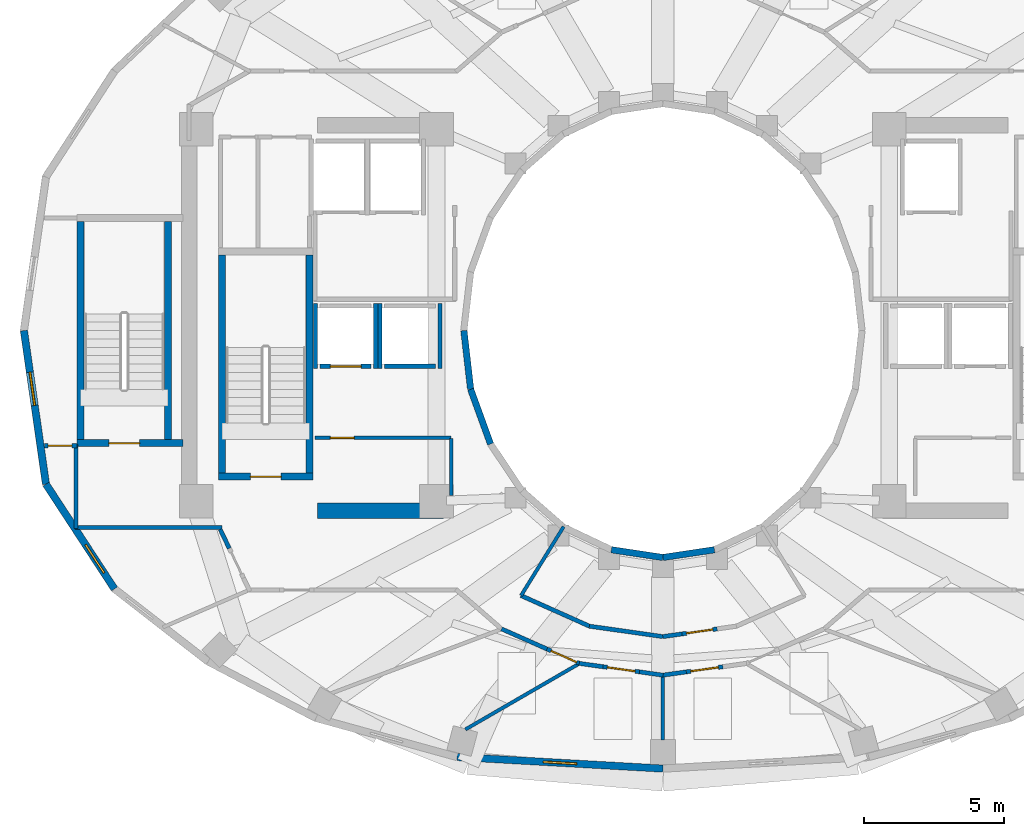
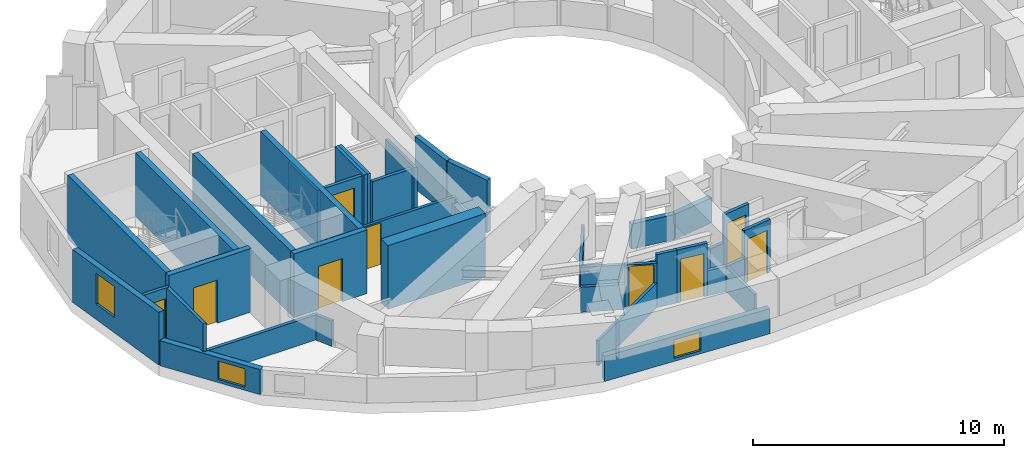
# One storey, part 3 of 9: 40 walls, 9 doors, 3 windows, 12 openings.
"""IFC4 building model written with IfcOpenShell, lengths in metres."""

from ifc_helpers import new_model, si_unit, direction, frame, frame_2d, origin, place, context, subcontext, project, spatial, rectangle, extrude, material, layer, layer_set, type_object, element, fill, save


model = new_model("IFC4")

# Units and contexts
model_context = context("Model", 3, precision=1e-05, world=origin(), true_north=direction((0.0, 1.0)))
body_context = subcontext(model_context, "Body", "Model", "MODEL_VIEW")
ifc_project = project(units=[si_unit("LENGTHUNIT", "METRE"), si_unit("AREAUNIT", "SQUARE_METRE"), si_unit("VOLUMEUNIT", "CUBIC_METRE"), si_unit("PLANEANGLEUNIT", "RADIAN"), si_unit("MASSUNIT", "GRAM", prefix="KILO")], contexts=[model_context])

# Site, building, storey
site_placement = place(None, origin())
site = spatial("IfcSite", under=ifc_project, at=site_placement, CompositionType="ELEMENT")
building_placement = place(site_placement, origin())
building = spatial("IfcBuilding", under=site, at=building_placement, Name="Solvane Sanctuary Tower", CompositionType="ELEMENT")
storey_placement = place(building_placement, frame((0.0, 0.0, 190.10009765625)))
storey = spatial("IfcBuildingStorey", under=building, at=storey_placement, Name="L58", CompositionType="ELEMENT", Elevation=190.10009765625)

# Wall
ifc_material_1 = material(Name="Concrete C50/60", Category="concrete")
ifc_layer_1 = layer(ifc_material_1, 0.550048828125, Name="Concrete C50/60")
ifc_layer_set_1 = layer_set([ifc_layer_1], Name="Concrete C50/60")
wall_type_1 = type_object("IfcWallType", Name="Wall W-CORE-550", PredefinedType="SHEAR", material=ifc_layer_set_1)
wall_1_placement = place(storey_placement, frame((19.64990234375, 16.550048828125, 0.0), z_axis=(0.0, 0.0, 1.0), x_axis=(1.0, 0.0, 0.0)))
element("IfcWall", 1, at=wall_1_placement, inside=storey, type_object=wall_type_1, Name="L58 Core Shear Wall WC-S", PredefinedType="SHEAR", context=body_context, shape_type="SweptSolid", body=[
    extrude(rectangle(XDim=4.5, YDim=0.550048828125, at=frame_2d((2.25, 0.0))), origin(), (0.0, 0.0, 1.0), 3.099853515625),
])

# Wall, opening, door
ifc_material_2 = material(Name="Acoustic Gypsum Partition Board")
ifc_layer_2 = layer(ifc_material_2, 0.14990234375, Name="Acoustic Gypsum Partition Board")
ifc_layer_set_2 = layer_set([ifc_layer_2], Name="Acoustic Gypsum Partition Board")
wall_type_2 = type_object("IfcWallType", Name="Wall W-CORR-150", PredefinedType="PARTITIONING", material=ifc_layer_set_2)
wall_2_placement = place(storey_placement, frame((9.869873046875, 18.8798828125, 0.0), z_axis=(0.0, 0.0, 1.0), x_axis=(1.0, 0.0, 0.0)))
wall_2 = element("IfcWall", 2, at=wall_2_placement, inside=storey, type_object=wall_type_2, Name="L58 SW Corner Closer 1", PredefinedType="PARTITIONING", context=body_context, shape_type="SweptSolid", body=[
    extrude(rectangle(XDim=1.170166015625, YDim=0.14990234375, at=frame_2d((0.5849609375, 0.0))), origin(), (0.0, 0.0, 1.0), 2.574951171875),
])
opening_1_placement = place(wall_2_placement, frame((0.139892578125, 0.0, 0.0)))
opening_1 = element("IfcOpeningElement", 3, at=opening_1_placement, cuts=wall_2, Name="Opening D-L58-18", PredefinedType="OPENING", context=body_context, shape_type="SweptSolid", body=[
    extrude(rectangle(XDim=0.85009765625, YDim=2.050048828125, at=frame_2d((0.425048828125, 1.02490234375))), frame((0.0, 0.0849609375, 0.0), z_axis=(0.0, -1.0, 0.0), x_axis=(1.0, 0.0, 0.0)), (0.0, 0.0, 1.0), 0.169921875),
])
ifc_material_3 = material(Name="Architectural Stainless Steel 316", Category="steel")
door_type_1 = type_object("IfcDoorType", Name="Door D-RISER", OperationType="NOTDEFINED", PredefinedType="DOOR", material=ifc_material_3)
door_1_placement = place(opening_1_placement, origin())
door_1 = element("IfcDoor", 4, at=door_1_placement, inside=storey, type_object=door_type_1, Name="L58 West Lookout Study Door", OperationType="SINGLE_SWING_LEFT", OverallHeight=2.050048828125, OverallWidth=0.85009765625, PredefinedType="DOOR", context=body_context, shape_type="SweptSolid", body=[
    extrude(rectangle(XDim=0.85009765625, YDim=2.050048828125, at=frame_2d((0.425048828125, 1.02490234375))), frame((0.0, 0.02490234375, 0.0), z_axis=(0.0, -1.0, 0.0), x_axis=(1.0, 0.0, 0.0)), (0.0, 0.0, 1.0), 0.050048828125),
])
fill(opening_1, door_1)

# Walls
wall_3_placement = place(storey_placement, frame((11.0, 15.909912109375, 0.0), z_axis=(0.0, 0.0, 1.0), x_axis=(0.0, 1.0, 0.0)))
element("IfcWall", 5, at=wall_3_placement, inside=storey, type_object=wall_type_2, Name="L58 SW Corner Closer 2", PredefinedType="PARTITIONING", context=body_context, shape_type="SweptSolid", body=[
    extrude(rectangle(XDim=3.010009765625, YDim=0.14990234375, at=frame_2d((1.5048828125, 0.0))), origin(), (0.0, 0.0, 1.0), 2.574951171875),
])
wall_4_placement = place(storey_placement, frame((10.9599609375, 15.949951171875, 0.0), z_axis=(0.0, 0.0, 1.0), x_axis=(1.0, 0.0, 0.0)))
element("IfcWall", 6, at=wall_4_placement, inside=storey, type_object=wall_type_2, Name="L58 SW Corner Closer 3", PredefinedType="PARTITIONING", context=body_context, shape_type="SweptSolid", body=[
    extrude(rectangle(XDim=5.260009765625, YDim=0.14990234375, at=frame_2d((2.6298828125, 0.0))), origin(), (0.0, 0.0, 1.0), 1.219970703125),
])
wall_5_placement = place(storey_placement, frame((16.488525390625, 15.205810546875, 0.0), z_axis=(0.0, 0.0, 1.0), x_axis=(-0.432131149195, 0.901810772776, 0.0)))
element("IfcWall", 7, at=wall_5_placement, inside=storey, type_object=wall_type_2, Name="L58 SW Corner Wing Wall", PredefinedType="PARTITIONING", context=body_context, shape_type="SweptSolid", body=[
    extrude(rectangle(XDim=0.754150390625, YDim=0.14990234375, at=frame_2d((0.376953125, 0.0))), origin(), (0.0, 0.0, 1.0), 1.219970703125),
])
wall_6_placement = place(storey_placement, frame((26.9189453125, 13.520751953125, 0.0), z_axis=(0.0, 0.0, 1.0), x_axis=(0.912888568324, -0.408208845842, 0.0)))
element("IfcWall", 8, at=wall_6_placement, inside=storey, type_object=wall_type_2, Name="L58 Inner Light-Well Corridor Wall S1", PredefinedType="PARTITIONING", context=body_context, shape_type="SweptSolid", body=[
    extrude(rectangle(XDim=2.690185546875, YDim=0.14990234375, at=frame_2d((1.34521484375, 0.0))), origin(), (0.0, 0.0, 1.0), 1.219970703125),
])
wall_7_placement = place(storey_placement, frame((29.371337890625, 12.423583984375, 0.0), z_axis=(0.0, 0.0, 1.0), x_axis=(0.990066775667, -0.1405979364, 0.0)))
element("IfcWall", 9, at=wall_7_placement, inside=storey, type_object=wall_type_2, Name="L58 Inner Light-Well Corridor Wall S1", PredefinedType="PARTITIONING", context=body_context, shape_type="SweptSolid", body=[
    extrude(rectangle(XDim=2.65673828125, YDim=0.14990234375, at=frame_2d((1.328369140625, 0.0))), origin(), (0.0, 0.0, 1.0), 1.219970703125),
])
wall_8_placement = place(storey_placement, frame((31.998291015625, 12.050048828125, 0.0), z_axis=(0.0, 0.0, 1.0), x_axis=(0.990082845611, 0.140484728093, 0.0)))
element("IfcWall", 10, at=wall_8_placement, inside=storey, type_object=wall_type_2, Name="L58 Inner Light-Well Corridor Wall S1", PredefinedType="PARTITIONING", context=body_context, shape_type="SweptSolid", body=[
    extrude(rectangle(XDim=0.693359375, YDim=0.14990234375, at=frame_2d((0.3466796875, 0.0))), origin(), (0.0, 0.0, 1.0), 1.219970703125),
])

# Wall, opening, door
wall_9_placement = place(storey_placement, frame((32.684814453125, 12.1474609375, 0.0), z_axis=(0.0, 0.0, 1.0), x_axis=(0.990049212475, 0.140721557967, 0.0)))
wall_9 = element("IfcWall", 11, at=wall_9_placement, inside=storey, type_object=wall_type_2, Name="L58 Inner Light-Well Corridor Wall S1", PredefinedType="PARTITIONING", context=body_context, shape_type="SweptSolid", body=[
    extrude(rectangle(XDim=1.27001953125, YDim=0.14990234375, at=frame_2d((0.635009765625, 0.0))), origin(), (0.0, 0.0, 1.0), 2.574951171875),
])
opening_2_placement = place(wall_9_placement, frame((0.159912109375, 0.0, 0.0)))
opening_2 = element("IfcOpeningElement", 12, at=opening_2_placement, cuts=wall_9, Name="Opening D-L58-22", PredefinedType="OPENING", context=body_context, shape_type="SweptSolid", body=[
    extrude(rectangle(XDim=0.949951171875, YDim=2.10009765625, at=frame_2d((0.47509765625, 1.050048828125))), frame((0.0, 0.0849609375, 0.0), z_axis=(0.0, -1.0, 0.0), x_axis=(1.0, 0.0, 0.0)), (0.0, 0.0, 1.0), 0.169921875),
])
ifc_material_4 = material(Name="Engineered Tropical Hardwood", Category="wood")
door_type_2 = type_object("IfcDoorType", Name="Door D-ROOM-950", OperationType="NOTDEFINED", PredefinedType="DOOR", material=ifc_material_4)
door_2_placement = place(opening_2_placement, origin())
door_2 = element("IfcDoor", 13, at=door_2_placement, inside=storey, type_object=door_type_2, Name="L58 Inner Light-Well Salon Door S1", OperationType="SINGLE_SWING_LEFT", OverallHeight=2.10009765625, OverallWidth=0.949951171875, PredefinedType="DOOR", context=body_context, shape_type="SweptSolid", body=[
    extrude(rectangle(XDim=0.949951171875, YDim=2.10009765625, at=frame_2d((0.47509765625, 1.050048828125))), frame((0.0, 0.02490234375, 0.0), z_axis=(0.0, -1.0, 0.0), x_axis=(1.0, 0.0, 0.0)), (0.0, 0.0, 1.0), 0.050048828125),
])
fill(opening_2, door_2)

# Wall
wall_10_placement = place(storey_placement, frame((26.22802734375, 12.326171875, 0.0), z_axis=(0.0, 0.0, 1.0), x_axis=(0.914303617865, -0.405029498135, 0.0)))
element("IfcWall", 14, at=wall_10_placement, inside=storey, type_object=wall_type_2, Name="L58 Unit Corridor Wall S1", PredefinedType="PARTITIONING", context=body_context, shape_type="SweptSolid", body=[
    extrude(rectangle(XDim=1.777587890625, YDim=0.14990234375, at=frame_2d((0.888671875, 0.0))), origin(), (0.0, 0.0, 1.0), 1.219970703125),
])

# Wall, opening, door
wall_11_placement = place(storey_placement, frame((27.853271484375, 11.606201171875, 0.0), z_axis=(0.0, 0.0, 1.0), x_axis=(0.91435342481, -0.40491704649, 0.0)))
wall_11 = element("IfcWall", 15, at=wall_11_placement, inside=storey, type_object=wall_type_2, Name="L58 Unit Corridor Wall S1", PredefinedType="PARTITIONING", context=body_context, shape_type="SweptSolid", body=[
    extrude(rectangle(XDim=1.280029296875, YDim=0.14990234375, at=frame_2d((0.64013671875, 0.0))), origin(), (0.0, 0.0, 1.0), 2.159912109375),
])
opening_3_placement = place(wall_11_placement, frame((0.159912109375, 0.0, 0.0)))
opening_3 = element("IfcOpeningElement", 16, at=opening_3_placement, cuts=wall_11, Name="Opening D-L58-27", PredefinedType="OPENING", context=body_context, shape_type="SweptSolid", body=[
    extrude(rectangle(XDim=1.0, YDim=2.10009765625, at=frame_2d((0.5, 1.050048828125))), frame((0.0, 0.0849609375, 0.0), z_axis=(0.0, -1.0, 0.0), x_axis=(1.0, 0.0, 0.0)), (0.0, 0.0, 1.0), 0.169921875),
])
door_type_3 = type_object("IfcDoorType", Name="Door D-UNIT", OperationType="NOTDEFINED", PredefinedType="DOOR", material=ifc_material_4)
door_3_placement = place(opening_3_placement, origin())
door_3 = element("IfcDoor", 17, at=door_3_placement, inside=storey, type_object=door_type_3, Name="L58 Unit Entrance Door S1", OperationType="SINGLE_SWING_RIGHT", OverallHeight=2.10009765625, OverallWidth=1.0, PredefinedType="DOOR", context=body_context, shape_type="SweptSolid", body=[
    extrude(rectangle(XDim=1.0, YDim=2.10009765625, at=frame_2d((0.5, 1.050048828125))), frame((0.0, 0.02490234375, 0.0), z_axis=(0.0, -1.0, 0.0), x_axis=(1.0, 0.0, 0.0)), (0.0, 0.0, 1.0), 0.050048828125),
])
fill(opening_3, door_3)

# Wall
wall_12_placement = place(storey_placement, frame((29.008056640625, 11.09228515625, 0.0), z_axis=(0.0, 0.0, 1.0), x_axis=(0.990238723834, -0.139381741342, 0.0)))
element("IfcWall", 18, at=wall_12_placement, inside=storey, type_object=wall_type_2, Name="L58 Unit Corridor Wall S2", PredefinedType="PARTITIONING", context=body_context, shape_type="SweptSolid", body=[
    extrude(rectangle(XDim=0.854736328125, YDim=0.14990234375, at=frame_2d((0.42724609375, 0.0))), origin(), (0.0, 0.0, 1.0), 2.574951171875),
])

# Wall, opening, door
wall_13_placement = place(storey_placement, frame((29.8544921875, 10.97314453125, 0.0), z_axis=(0.0, 0.0, 1.0), x_axis=(0.990254187593, -0.139271834751, 0.0)))
wall_13 = element("IfcWall", 19, at=wall_13_placement, inside=storey, type_object=wall_type_2, Name="L58 Unit Corridor Wall S2", PredefinedType="PARTITIONING", context=body_context, shape_type="SweptSolid", body=[
    extrude(rectangle(XDim=1.320068359375, YDim=0.14990234375, at=frame_2d((0.66015625, 0.0))), origin(), (0.0, 0.0, 1.0), 2.574951171875),
])
opening_4_placement = place(wall_13_placement, frame((0.159912109375, 0.0, 0.0)))
opening_4 = element("IfcOpeningElement", 20, at=opening_4_placement, cuts=wall_13, Name="Opening D-L58-28", PredefinedType="OPENING", context=body_context, shape_type="SweptSolid", body=[
    extrude(rectangle(XDim=1.0, YDim=2.10009765625, at=frame_2d((0.5, 1.050048828125))), frame((0.0, 0.0849609375, 0.0), z_axis=(0.0, -1.0, 0.0), x_axis=(1.0, 0.0, 0.0)), (0.0, 0.0, 1.0), 0.169921875),
])
door_4_placement = place(opening_4_placement, origin())
door_4 = element("IfcDoor", 21, at=door_4_placement, inside=storey, type_object=door_type_3, Name="L58 Unit Entrance Door S2", OperationType="SINGLE_SWING_LEFT", OverallHeight=2.10009765625, OverallWidth=1.0, PredefinedType="DOOR", context=body_context, shape_type="SweptSolid", body=[
    extrude(rectangle(XDim=1.0, YDim=2.10009765625, at=frame_2d((0.5, 1.050048828125))), frame((0.0, 0.02490234375, 0.0), z_axis=(0.0, -1.0, 0.0), x_axis=(1.0, 0.0, 0.0)), (0.0, 0.0, 1.0), 0.050048828125),
])
fill(opening_4, door_4)

# Walls
for number, where, z_axis, x_axis, name in (
    (22, (31.16162109375, 10.789306640625, 0.0), (0.0, 0.0, 1.0), (0.990199264419, -0.139661794145, 0.0), "L58 Unit Corridor Wall S2"),
    (23, (31.991943359375, 10.669921875, 0.0), (0.0, 0.0, 1.0), (0.990199264419, 0.139661794145, 0.0), "L58 Unit Corridor Wall S3"),
):
    element("IfcWall", number, at=place(storey_placement, frame(where, z_axis=z_axis, x_axis=x_axis)), inside=storey, type_object=wall_type_2, Name=name, PredefinedType="PARTITIONING", context=body_context, shape_type="SweptSolid", body=[
        extrude(rectangle(XDim=0.854736328125, YDim=0.14990234375, at=frame_2d((0.42724609375, 0.0))), origin(), (0.0, 0.0, 1.0), 1.219970703125),
    ])

# Wall, opening, door
wall_14_placement = place(storey_placement, frame((32.83837890625, 10.789306640625, 0.0), z_axis=(0.0, 0.0, 1.0), x_axis=(0.990254187593, 0.139271834751, 0.0)))
wall_14 = element("IfcWall", 24, at=wall_14_placement, inside=storey, type_object=wall_type_2, Name="L58 Unit Corridor Wall S3", PredefinedType="PARTITIONING", context=body_context, shape_type="SweptSolid", body=[
    extrude(rectangle(XDim=1.320068359375, YDim=0.14990234375, at=frame_2d((0.66015625, 0.0))), origin(), (0.0, 0.0, 1.0), 2.574951171875),
])
opening_5_placement = place(wall_14_placement, frame((0.159912109375, 0.0, 0.0)))
opening_5 = element("IfcOpeningElement", 25, at=opening_5_placement, cuts=wall_14, Name="Opening D-L58-29", PredefinedType="OPENING", context=body_context, shape_type="SweptSolid", body=[
    extrude(rectangle(XDim=1.0, YDim=2.10009765625, at=frame_2d((0.5, 1.050048828125))), frame((0.0, 0.0849609375, 0.0), z_axis=(0.0, -1.0, 0.0), x_axis=(1.0, 0.0, 0.0)), (0.0, 0.0, 1.0), 0.169921875),
])
door_5_placement = place(opening_5_placement, origin())
door_5 = element("IfcDoor", 26, at=door_5_placement, inside=storey, type_object=door_type_3, Name="L58 Unit Entrance Door S3", OperationType="SINGLE_SWING_RIGHT", OverallHeight=2.10009765625, OverallWidth=1.0, PredefinedType="DOOR", context=body_context, shape_type="SweptSolid", body=[
    extrude(rectangle(XDim=1.0, YDim=2.10009765625, at=frame_2d((0.5, 1.050048828125))), frame((0.0, 0.02490234375, 0.0), z_axis=(0.0, -1.0, 0.0), x_axis=(1.0, 0.0, 0.0)), (0.0, 0.0, 1.0), 0.050048828125),
])
fill(opening_5, door_5)

# Wall, opening, window
ifc_material_5 = material(Name="Precast concrete C40/50", Category="concrete")
ifc_layer_3 = layer(ifc_material_5, 0.260009765625, Name="Precast concrete C40/50")
ifc_layer_set_3 = layer_set([ifc_layer_3], Name="Precast concrete C40/50")
wall_type_3 = type_object("IfcWallType", Name="Wall W-EXT-250", PredefinedType="STANDARD", material=ifc_layer_set_3)
wall_15_placement = place(storey_placement, frame((9.139892578125, 23.0, 0.0), z_axis=(0.0, 0.0, 1.0), x_axis=(0.142227632286, -0.989833976288, 0.0)))
wall_15 = element("IfcWall", 27, at=wall_15_placement, inside=storey, type_object=wall_type_3, Name="L58 Ceramic-Printed Facade Wall 12", PredefinedType="STANDARD", context=body_context, shape_type="SweptSolid", body=[
    extrude(rectangle(XDim=5.552978515625, YDim=0.260009765625, at=frame_2d((2.7763671875, 0.0))), origin(), (0.0, 0.0, 1.0), 2.56982421875),
])
opening_6_placement = place(wall_15_placement, frame((1.506103515625, 0.0, 0.75)))
opening_6 = element("IfcOpeningElement", 28, at=opening_6_placement, cuts=wall_15, Name="Opening WN-OPER-1200", PredefinedType="OPENING", context=body_context, shape_type="SweptSolid", body=[
    extrude(rectangle(XDim=1.199951171875, YDim=1.5, at=frame_2d((0.60009765625, 0.75))), frame((0.0, 0.139892578125, 0.0), z_axis=(0.0, -1.0, 0.0), x_axis=(1.0, 0.0, 0.0)), (0.0, 0.0, 1.0), 0.280029296875),
])
ifc_material_6 = material(Name="Dark Ceramic-Fritted Low-E Glass", Category="glass")
window_type = type_object("IfcWindowType", Name="Window WN-OPER-1200", PartitioningType="SINGLE_PANEL", PredefinedType="WINDOW", material=ifc_material_6)
window_1_placement = place(opening_6_placement, origin())
window_1 = element("IfcWindow", 29, at=window_1_placement, inside=storey, type_object=window_type, Name="L58 Operable Facade Window 12", OverallHeight=1.5, OverallWidth=1.199951171875, PartitioningType="SINGLE_PANEL", PredefinedType="WINDOW", context=body_context, shape_type="SweptSolid", body=[
    extrude(rectangle(XDim=1.199951171875, YDim=1.5, at=frame_2d((0.60009765625, 0.75))), frame((0.0, 0.030029296875, 0.0), z_axis=(0.0, -1.0, 0.0), x_axis=(1.0, 0.0, 0.0)), (0.0, 0.0, 1.0), 0.06005859375),
])
fill(opening_6, window_1)

wall_16_placement = place(storey_placement, frame((9.9296875, 17.50341796875, 0.0), z_axis=(0.0, 0.0, 1.0), x_axis=(0.547456494366, -0.836834145322, 0.0)))
wall_16 = element("IfcWall", 30, at=wall_16_placement, inside=storey, type_object=wall_type_3, Name="L58 Ceramic-Printed Facade Wall 13", PredefinedType="STANDARD", context=body_context, shape_type="SweptSolid", body=[
    extrude(rectangle(XDim=4.477294921875, YDim=0.260009765625, at=frame_2d((2.23876953125, 0.0))), origin(), (0.0, 0.0, 1.0), 1.219970703125),
])
opening_7_placement = place(wall_16_placement, frame((2.59130859375, 0.0, 0.14990234375)))
opening_7 = element("IfcOpeningElement", 31, at=opening_7_placement, cuts=wall_16, Name="Opening WN-OPER-1200", PredefinedType="OPENING", context=body_context, shape_type="SweptSolid", body=[
    extrude(rectangle(XDim=1.199951171875, YDim=0.89990234375, at=frame_2d((0.60009765625, 0.449951171875))), frame((0.0, 0.139892578125, 0.0), z_axis=(0.0, -1.0, 0.0), x_axis=(1.0, 0.0, 0.0)), (0.0, 0.0, 1.0), 0.280029296875),
])
window_2_placement = place(opening_7_placement, origin())
window_2 = element("IfcWindow", 32, at=window_2_placement, inside=storey, type_object=window_type, Name="L58 Operable Facade Window 13", OverallHeight=0.89990234375, OverallWidth=1.199951171875, PartitioningType="SINGLE_PANEL", PredefinedType="WINDOW", context=body_context, shape_type="SweptSolid", body=[
    extrude(rectangle(XDim=1.199951171875, YDim=0.89990234375, at=frame_2d((0.60009765625, 0.449951171875))), frame((0.0, 0.030029296875, 0.0), z_axis=(0.0, -1.0, 0.0), x_axis=(1.0, 0.0, 0.0)), (0.0, 0.0, 1.0), 0.06005859375),
])
fill(opening_7, window_2)

wall_17_placement = place(storey_placement, frame((24.634765625, 7.743408203125, 0.0), z_axis=(0.0, 0.0, 1.0), x_axis=(0.998417906562, -0.056228852534, 0.0)))
wall_17 = element("IfcWall", 33, at=wall_17_placement, inside=storey, type_object=wall_type_3, Name="L58 Ceramic-Printed Facade Wall 17", PredefinedType="STANDARD", context=body_context, shape_type="SweptSolid", body=[
    extrude(rectangle(XDim=7.376953125, YDim=0.260009765625, at=frame_2d((3.6884765625, 0.0))), origin(), (0.0, 0.0, 1.0), 1.219970703125),
])
opening_8_placement = place(wall_17_placement, frame((3.08837890625, 0.0, 0.14990234375)))
opening_8 = element("IfcOpeningElement", 34, at=opening_8_placement, cuts=wall_17, Name="Opening WN-OPER-1200", PredefinedType="OPENING", context=body_context, shape_type="SweptSolid", body=[
    extrude(rectangle(XDim=1.199951171875, YDim=0.89990234375, at=frame_2d((0.60009765625, 0.449951171875))), frame((0.0, 0.139892578125, 0.0), z_axis=(0.0, -1.0, 0.0), x_axis=(1.0, 0.0, 0.0)), (0.0, 0.0, 1.0), 0.280029296875),
])
window_3_placement = place(opening_8_placement, origin())
window_3 = element("IfcWindow", 35, at=window_3_placement, inside=storey, type_object=window_type, Name="L58 Operable Facade Window 17", OverallHeight=0.89990234375, OverallWidth=1.199951171875, PartitioningType="SINGLE_PANEL", PredefinedType="WINDOW", context=body_context, shape_type="SweptSolid", body=[
    extrude(rectangle(XDim=1.199951171875, YDim=0.89990234375, at=frame_2d((0.60009765625, 0.449951171875))), frame((0.0, 0.030029296875, 0.0), z_axis=(0.0, -1.0, 0.0), x_axis=(1.0, 0.0, 0.0)), (0.0, 0.0, 1.0), 0.06005859375),
])
fill(opening_8, window_3)

# Walls
ifc_layer_4 = layer(ifc_material_5, 0.22998046875, Name="Precast concrete C40/50")
ifc_layer_set_4 = layer_set([ifc_layer_4], Name="Precast concrete C40/50")
wall_type_4 = type_object("IfcWallType", Name="Wall W-EXT-SP220", PredefinedType="STANDARD", material=ifc_layer_set_4)
wall_18_placement = place(storey_placement, frame((24.8798828125, 23.0, 0.0), z_axis=(0.0, 0.0, 1.0), x_axis=(0.114711713601, -0.993398823617, 0.0)))
element("IfcWall", 36, at=wall_18_placement, inside=storey, type_object=wall_type_4, Name="L58 Central Light-Well Wall 12", PredefinedType="STANDARD", context=body_context, shape_type="SweptSolid", body=[
    extrude(rectangle(XDim=2.115478515625, YDim=0.22998046875, at=frame_2d((1.0576171875, 0.0))), origin(), (0.0, 0.0, 1.0), 2.559814453125),
])
wall_19_placement = place(storey_placement, frame((25.12255859375, 20.8984375, 0.0), z_axis=(0.0, 0.0, 1.0), x_axis=(0.341423187295, -0.93990968033, 0.0)))
element("IfcWall", 37, at=wall_19_placement, inside=storey, type_object=wall_type_4, Name="L58 Central Light-Well Wall 13", PredefinedType="STANDARD", context=body_context, shape_type="SweptSolid", body=[
    extrude(rectangle(XDim=2.083740234375, YDim=0.22998046875, at=frame_2d((1.0419921875, 0.0))), origin(), (0.0, 0.0, 1.0), 2.559814453125),
])
for number, where, z_axis, x_axis, name in (
    (38, (30.1572265625, 15.15673828125, 0.0), (0.0, 0.0, 1.0), (0.988901730308, -0.148571086668, 0.0), "L58 Central Light-Well Wall 17"),
    (39, (32.0, 14.8798828125, 0.0), (0.0, 0.0, 1.0), (0.988901730308, 0.148571086668, 0.0), "L58 Central Light-Well Wall 18"),
):
    element("IfcWall", number, at=place(storey_placement, frame(where, z_axis=z_axis, x_axis=x_axis)), inside=storey, type_object=wall_type_4, Name=name, PredefinedType="STANDARD", context=body_context, shape_type="SweptSolid", body=[
        extrude(rectangle(XDim=1.863525390625, YDim=0.22998046875, at=frame_2d((0.931640625, 0.0))), origin(), (0.0, 0.0, 1.0), 1.219970703125),
    ])

# Wall, opening, door
ifc_layer_5 = layer(ifc_material_2, 0.125, Name="Acoustic Gypsum Partition Board")
ifc_layer_set_5 = layer_set([ifc_layer_5], Name="Acoustic Gypsum Partition Board")
wall_type_5 = type_object("IfcWallType", Name="Wall W-PART-125", PredefinedType="PARTITIONING", material=ifc_layer_set_5)
wall_20_placement = place(storey_placement, frame((19.550048828125, 19.159912109375, 0.0), z_axis=(0.0, 0.0, 1.0), x_axis=(1.0, 0.0, 0.0)))
wall_20 = element("IfcWall", 40, at=wall_20_placement, inside=storey, type_object=wall_type_5, Name="L58 Reclaimed Room Partition PLW", PredefinedType="PARTITIONING", context=body_context, shape_type="SweptSolid", body=[
    extrude(rectangle(XDim=4.869873046875, YDim=0.125, at=frame_2d((2.43505859375, 0.0))), origin(), (0.0, 0.0, 1.0), 2.119873046875),
])
opening_9_placement = place(wall_20_placement, frame((0.550048828125, 0.0, 0.0)))
opening_9 = element("IfcOpeningElement", 41, at=opening_9_placement, cuts=wall_20, Name="Opening D-L58-06", PredefinedType="OPENING", context=body_context, shape_type="SweptSolid", body=[
    extrude(rectangle(XDim=0.85009765625, YDim=2.050048828125, at=frame_2d((0.425048828125, 1.02490234375))), frame((0.0, 0.072509765625, 0.0), z_axis=(0.0, -1.0, 0.0), x_axis=(1.0, 0.0, 0.0)), (0.0, 0.0, 1.0), 0.14501953125),
])
door_6_placement = place(opening_9_placement, origin())
door_6 = element("IfcDoor", 42, at=door_6_placement, inside=storey, type_object=door_type_1, Name="L58 Reclaimed Room Door PLW-1", OperationType="SINGLE_SWING_LEFT", OverallHeight=2.050048828125, OverallWidth=0.85009765625, PredefinedType="DOOR", context=body_context, shape_type="SweptSolid", body=[
    extrude(rectangle(XDim=0.85009765625, YDim=2.050048828125, at=frame_2d((0.425048828125, 1.02490234375))), frame((0.0, 0.02490234375, 0.0), z_axis=(0.0, -1.0, 0.0), x_axis=(1.0, 0.0, 0.0)), (0.0, 0.0, 1.0), 0.050048828125),
])
fill(opening_9, door_6)

# Walls
wall_21_placement = place(storey_placement, frame((24.419921875, 17.10009765625, 0.0), z_axis=(0.0, 0.0, 1.0), x_axis=(0.0, 1.0, 0.0)))
element("IfcWall", 43, at=wall_21_placement, inside=storey, type_object=wall_type_5, Name="L58 Reclaimed Room Closer Wall PLW-1", PredefinedType="PARTITIONING", context=body_context, shape_type="SweptSolid", body=[
    extrude(rectangle(XDim=2.039794921875, YDim=0.125, at=frame_2d((1.02001953125, 0.0))), origin(), (0.0, 0.0, 1.0), 1.951904296875),
])
wall_22_placement = place(storey_placement, frame((28.449951171875, 15.985107421875, 0.0), z_axis=(0.0, 0.0, 1.0), x_axis=(-0.525627246902, -0.850714991824, 0.0)))
element("IfcWall", 44, at=wall_22_placement, inside=storey, type_object=wall_type_5, Name="L58 Inner Light-Well Radial Wall 240", PredefinedType="PARTITIONING", context=body_context, shape_type="SweptSolid", body=[
    extrude(rectangle(XDim=2.901123046875, YDim=0.125, at=frame_2d((1.45068359375, 0.0))), origin(), (0.0, 0.0, 1.0), 1.219970703125),
])
wall_23_placement = place(storey_placement, frame((28.96826171875, 11.0625, 0.0), z_axis=(0.0, 0.0, 1.0), x_axis=(-0.865627016774, -0.500689392568, 0.0)))
element("IfcWall", 45, at=wall_23_placement, inside=storey, type_object=wall_type_5, Name="L58 Radial Compartment Wall 255", PredefinedType="PARTITIONING", context=body_context, shape_type="SweptSolid", body=[
    extrude(rectangle(XDim=4.66162109375, YDim=0.125, at=frame_2d((2.330810546875, 0.0))), origin(), (0.0, 0.0, 1.0), 1.219970703125),
])
wall_24_placement = place(storey_placement, frame((32.0, 10.614990234375, 0.0), z_axis=(0.0, 0.0, 1.0), x_axis=(0.0, -1.0, 0.0)))
element("IfcWall", 46, at=wall_24_placement, inside=storey, type_object=wall_type_5, Name="L58 Radial Compartment Wall 270", PredefinedType="PARTITIONING", context=body_context, shape_type="SweptSolid", body=[
    extrude(rectangle(XDim=2.264892578125, YDim=0.125, at=frame_2d((1.13232421875, 0.0))), origin(), (0.0, 0.0, 1.0), 1.219970703125),
])

# Wall, opening, door
ifc_layer_6 = layer(ifc_material_1, 0.14990234375, Name="Concrete C50/60")
ifc_layer_set_6 = layer_set([ifc_layer_6], Name="Concrete C50/60")
wall_type_6 = type_object("IfcWallType", Name="Wall W-SHAFT-150", PredefinedType="SOLIDWALL", material=ifc_layer_set_6)
wall_25_placement = place(storey_placement, frame((19.739990234375, 21.719970703125, 0.0), z_axis=(0.0, 0.0, 1.0), x_axis=(1.0, 0.0, 0.0)))
wall_25 = element("IfcWall", 47, at=wall_25_placement, inside=storey, type_object=wall_type_6, Name="L58 PM-1 Lift Shaft Wall F", PredefinedType="SOLIDWALL", context=body_context, shape_type="SweptSolid", body=[
    extrude(rectangle(XDim=1.820068359375, YDim=0.14990234375, at=frame_2d((0.91015625, 0.0))), origin(), (0.0, 0.0, 1.0), 2.574951171875),
])
opening_10_placement = place(wall_25_placement, frame((0.360107421875, 0.0, 0.0)))
opening_10 = element("IfcOpeningElement", 48, at=opening_10_placement, cuts=wall_25, Name="Opening LD-L58-01", PredefinedType="OPENING", context=body_context, shape_type="SweptSolid", body=[
    extrude(rectangle(XDim=1.10009765625, YDim=2.10009765625, at=frame_2d((0.550048828125, 1.050048828125))), frame((0.0, 0.0849609375, 0.0), z_axis=(0.0, -1.0, 0.0), x_axis=(1.0, 0.0, 0.0)), (0.0, 0.0, 1.0), 0.169921875),
])
door_type_4 = type_object("IfcDoorType", Name="Door LD-PASS-1100", OperationType="NOTDEFINED", PredefinedType="DOOR", material=ifc_material_3)
door_7_placement = place(opening_10_placement, origin())
door_7 = element("IfcDoor", 49, at=door_7_placement, inside=storey, type_object=door_type_4, Name="L58 PM-1 Lift Landing Door", OperationType="DOUBLE_DOOR_SLIDING", OverallHeight=2.10009765625, OverallWidth=1.10009765625, PredefinedType="DOOR", context=body_context, shape_type="SweptSolid", body=[
    extrude(rectangle(XDim=1.10009765625, YDim=2.10009765625, at=frame_2d((0.550048828125, 1.050048828125))), frame((0.0, 0.02490234375, 0.0), z_axis=(0.0, -1.0, 0.0), x_axis=(1.0, 0.0, 0.0)), (0.0, 0.0, 1.0), 0.050048828125),
])
fill(opening_10, door_7)

# Walls
for number, where, z_axis, x_axis, name in (
    (50, (19.570068359375, 21.639892578125, 0.0), (0.0, 0.0, 1.0), (0.0, 1.0, 0.0), "L58 PM-1 Lift Shaft Wall S1"),
    (51, (21.72998046875, 21.639892578125, 0.0), (0.0, 0.0, 1.0), (0.0, 1.0, 0.0), "L58 PM-1 Lift Shaft Wall S2"),
):
    element("IfcWall", number, at=place(storey_placement, frame(where, z_axis=z_axis, x_axis=x_axis)), inside=storey, type_object=wall_type_6, Name=name, PredefinedType="SOLIDWALL", context=body_context, shape_type="SweptSolid", body=[
        extrude(rectangle(XDim=2.320068359375, YDim=0.14990234375, at=frame_2d((1.16015625, 0.0))), origin(), (0.0, 0.0, 1.0), 2.574951171875),
    ])
wall_26_placement = place(storey_placement, frame((22.0400390625, 21.719970703125, 0.0), z_axis=(0.0, 0.0, 1.0), x_axis=(1.0, 0.0, 0.0)))
element("IfcWall", 52, at=wall_26_placement, inside=storey, type_object=wall_type_6, Name="L58 PH-1 Lift Shaft Wall F", PredefinedType="SOLIDWALL", context=body_context, shape_type="SweptSolid", body=[
    extrude(rectangle(XDim=1.820068359375, YDim=0.14990234375, at=frame_2d((0.91015625, 0.0))), origin(), (0.0, 0.0, 1.0), 2.119873046875),
])
wall_27_placement = place(storey_placement, frame((21.8701171875, 21.639892578125, 0.0), z_axis=(0.0, 0.0, 1.0), x_axis=(0.0, 1.0, 0.0)))
element("IfcWall", 53, at=wall_27_placement, inside=storey, type_object=wall_type_6, Name="L58 PH-1 Lift Shaft Wall S1", PredefinedType="SOLIDWALL", context=body_context, shape_type="SweptSolid", body=[
    extrude(rectangle(XDim=2.320068359375, YDim=0.14990234375, at=frame_2d((1.16015625, 0.0))), origin(), (0.0, 0.0, 1.0), 2.574951171875),
])
wall_28_placement = place(storey_placement, frame((24.030029296875, 21.639892578125, 0.0), z_axis=(0.0, 0.0, 1.0), x_axis=(0.0, 1.0, 0.0)))
element("IfcWall", 54, at=wall_28_placement, inside=storey, type_object=wall_type_6, Name="L58 PH-1 Lift Shaft Wall S2", PredefinedType="SOLIDWALL", context=body_context, shape_type="SweptSolid", body=[
    extrude(rectangle(XDim=2.320068359375, YDim=0.14990234375, at=frame_2d((1.16015625, 0.0))), origin(), (0.0, 0.0, 1.0), 2.119873046875),
])

# Wall, opening, door
ifc_layer_7 = layer(ifc_material_1, 0.25, Name="Concrete C50/60")
ifc_layer_set_7 = layer_set([ifc_layer_7], Name="Concrete C50/60")
wall_type_7 = type_object("IfcWallType", Name="Wall W-SHAFT-250", PredefinedType="SOLIDWALL", material=ifc_layer_set_7)
wall_29_placement = place(storey_placement, frame((16.10498046875, 17.77001953125, 0.0), z_axis=(0.0, 0.0, 1.0), x_axis=(1.0, 0.0, 0.0)))
wall_29 = element("IfcWall", 55, at=wall_29_placement, inside=storey, type_object=wall_type_7, Name="L58 ST-1 Load-Bearing Shaft Wall S", PredefinedType="SOLIDWALL", context=body_context, shape_type="SweptSolid", body=[
    extrude(rectangle(XDim=3.3701171875, YDim=0.25, at=frame_2d((1.68505859375, 0.0))), origin(), (0.0, 0.0, 1.0), 3.099853515625),
])
opening_11_placement = place(wall_29_placement, frame((1.135009765625, 0.0, 0.0)))
opening_11 = element("IfcOpeningElement", 56, at=opening_11_placement, cuts=wall_29, Name="Opening D-L58-01", PredefinedType="OPENING", context=body_context, shape_type="SweptSolid", body=[
    extrude(rectangle(XDim=1.10009765625, YDim=2.10009765625, at=frame_2d((0.550048828125, 1.050048828125))), frame((0.0, 0.135009765625, 0.0), z_axis=(0.0, -1.0, 0.0), x_axis=(1.0, 0.0, 0.0)), (0.0, 0.0, 1.0), 0.27001953125),
])
door_type_5 = type_object("IfcDoorType", Name="Door D-STAIR", OperationType="NOTDEFINED", PredefinedType="DOOR", material=ifc_material_3)
door_8_placement = place(opening_11_placement, origin())
door_8 = element("IfcDoor", 57, at=door_8_placement, inside=storey, type_object=door_type_5, Name="L58 ST-1 Exit Stair Fire Door", OperationType="SINGLE_SWING_RIGHT", OverallHeight=2.10009765625, OverallWidth=1.10009765625, PredefinedType="DOOR", context=body_context, shape_type="SweptSolid", body=[
    extrude(rectangle(XDim=1.10009765625, YDim=2.10009765625, at=frame_2d((0.550048828125, 1.050048828125))), frame((0.0, 0.02490234375, 0.0), z_axis=(0.0, -1.0, 0.0), x_axis=(1.0, 0.0, 0.0)), (0.0, 0.0, 1.0), 0.050048828125),
])
fill(opening_11, door_8)

# Walls
for number, where, z_axis, x_axis, name in (
    (58, (16.22998046875, 17.89501953125, 0.0), (0.0, 0.0, 1.0), (0.0, 1.0, 0.0), "L58 ST-1 Load-Bearing Shaft Wall W"),
    (59, (19.35009765625, 17.89501953125, 0.0), (0.0, 0.0, 1.0), (0.0, 1.0, 0.0), "L58 ST-1 Load-Bearing Shaft Wall E"),
):
    element("IfcWall", number, at=place(storey_placement, frame(where, z_axis=z_axis, x_axis=x_axis)), inside=storey, type_object=wall_type_7, Name=name, PredefinedType="SOLIDWALL", context=body_context, shape_type="SweptSolid", body=[
        extrude(rectangle(XDim=7.81005859375, YDim=0.25, at=frame_2d((3.905029296875, 0.0))), origin(), (0.0, 0.0, 1.0), 3.099853515625),
    ])

# Wall, opening, door
wall_30_placement = place(storey_placement, frame((11.044921875, 18.969970703125, 0.0), z_axis=(0.0, 0.0, 1.0), x_axis=(1.0, 0.0, 0.0)))
wall_30 = element("IfcWall", 60, at=wall_30_placement, inside=storey, type_object=wall_type_7, Name="L58 ST-3 Load-Bearing Shaft Wall S", PredefinedType="SOLIDWALL", context=body_context, shape_type="SweptSolid", body=[
    extrude(rectangle(XDim=3.781982421875, YDim=0.25, at=frame_2d((1.89111328125, 0.0))), origin(), (0.0, 0.0, 1.0), 3.099853515625),
])
opening_12_placement = place(wall_30_placement, frame((1.135009765625, 0.0, 0.0)))
opening_12 = element("IfcOpeningElement", 61, at=opening_12_placement, cuts=wall_30, Name="Opening D-L58-03", PredefinedType="OPENING", context=body_context, shape_type="SweptSolid", body=[
    extrude(rectangle(XDim=1.10009765625, YDim=2.10009765625, at=frame_2d((0.550048828125, 1.050048828125))), frame((0.0, 0.135009765625, 0.0), z_axis=(0.0, -1.0, 0.0), x_axis=(1.0, 0.0, 0.0)), (0.0, 0.0, 1.0), 0.27001953125),
])
door_9_placement = place(opening_12_placement, origin())
door_9 = element("IfcDoor", 62, at=door_9_placement, inside=storey, type_object=door_type_5, Name="L58 ST-3 Exit Stair Fire Door", OperationType="SINGLE_SWING_RIGHT", OverallHeight=2.10009765625, OverallWidth=1.10009765625, PredefinedType="DOOR", context=body_context, shape_type="SweptSolid", body=[
    extrude(rectangle(XDim=1.10009765625, YDim=2.10009765625, at=frame_2d((0.550048828125, 1.050048828125))), frame((0.0, 0.02490234375, 0.0), z_axis=(0.0, -1.0, 0.0), x_axis=(1.0, 0.0, 0.0)), (0.0, 0.0, 1.0), 0.050048828125),
])
fill(opening_12, door_9)

# Walls
for number, where, z_axis, x_axis, name in (
    (63, (11.169921875, 19.094970703125, 0.0), (0.0, 0.0, 1.0), (0.0, 1.0, 0.0), "L58 ST-3 Load-Bearing Shaft Wall W"),
    (64, (14.2900390625, 19.094970703125, 0.0), (0.0, 0.0, 1.0), (0.0, 1.0, 0.0), "L58 ST-3 Load-Bearing Shaft Wall E"),
):
    element("IfcWall", number, at=place(storey_placement, frame(where, z_axis=z_axis, x_axis=x_axis)), inside=storey, type_object=wall_type_7, Name=name, PredefinedType="SOLIDWALL", context=body_context, shape_type="SweptSolid", body=[
        extrude(rectangle(XDim=7.81005859375, YDim=0.25, at=frame_2d((3.905029296875, 0.0))), origin(), (0.0, 0.0, 1.0), 3.099853515625),
    ])

save(model, "model.ifc")
